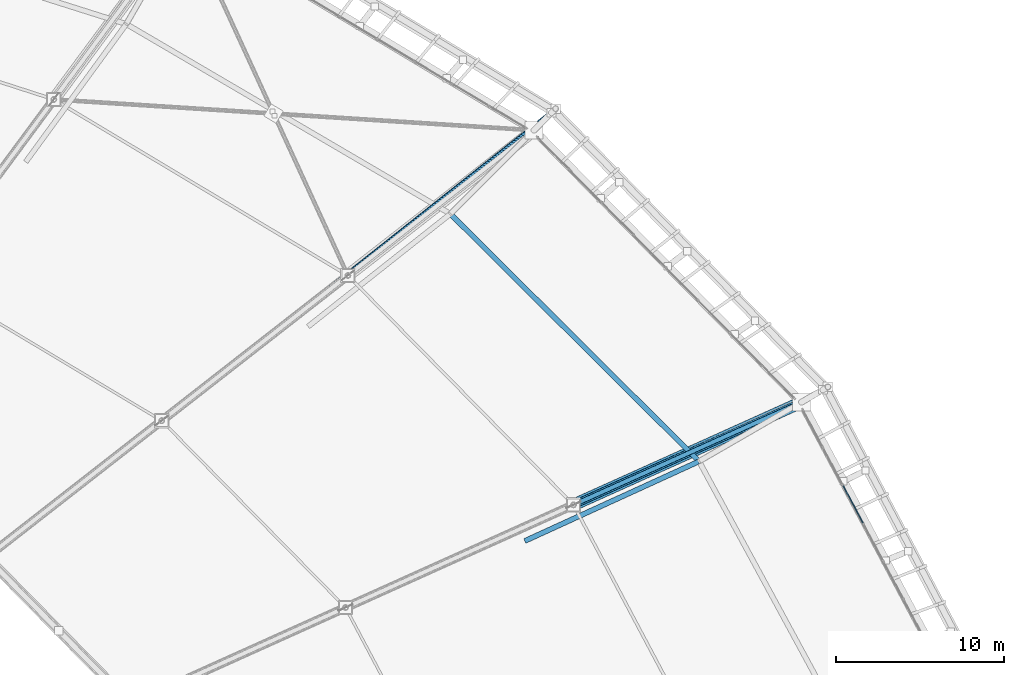
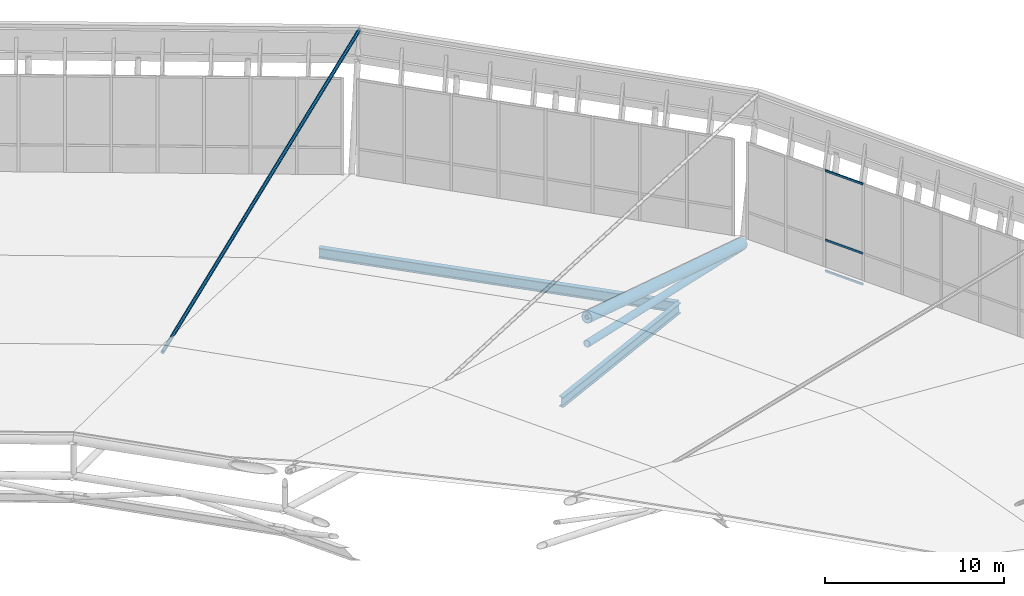
# One storey, part 57 of 115: 7 members, 2 beams, 1 element without a shape of its own.
"""IFC4 building model written with IfcOpenShell, lengths in metres."""

from ifc_helpers import new_model, si_unit, direction, frame, origin, origin_2d, place, context, subcontext, project, spatial, rectangle, hollow_circle, i_section, extrude, material, material_profile, profile_set, type_object, element, aggregate, save


model = new_model("IFC4")

# Units and contexts
model_context = context("Model", 3, precision=1e-05, world=origin(), true_north=direction((0.0, 1.0)))
body_context = subcontext(model_context, "Body", "Model", "MODEL_VIEW")
ifc_project = project(units=[si_unit("LENGTHUNIT", "METRE"), si_unit("AREAUNIT", "SQUARE_METRE"), si_unit("VOLUMEUNIT", "CUBIC_METRE"), si_unit("PLANEANGLEUNIT", "RADIAN"), si_unit("MASSUNIT", "GRAM", prefix="KILO")], contexts=[model_context])

# Site, building, storey
site_placement = place(None, origin())
site = spatial("IfcSite", under=ifc_project, at=site_placement, CompositionType="ELEMENT")
building_placement = place(site_placement, origin())
building = spatial("IfcBuilding", under=site, at=building_placement, Name="Zlatoyarsky Gate Stadium", CompositionType="ELEMENT")
storey_placement = place(building_placement, frame((0.0, 0.0, 31.800048828125)))
storey = spatial("IfcBuildingStorey", under=building, at=storey_placement, Name="RF", CompositionType="ELEMENT", Elevation=31.800048828125)

# Curtain wall, members
ifc_material_1 = material(Name="Thermally broken anodised aluminium curtain wall", Category="aluminium")
curtain_wall_type = type_object("IfcCurtainWallType", Name="UNITISED SKYBOX RING GLAZING L05", PredefinedType="USERDEFINED", material=ifc_material_1)
curtain_wall_placement = place(storey_placement, origin())
curtain_wall = element("IfcCurtainWall", 1, at=curtain_wall_placement, inside=storey, type_object=curtain_wall_type, Name="Curtain wall CW-RF-01", ObjectType="UNITISED GLAZING", PredefinedType="USERDEFINED")
ifc_material_2 = material(Name="Anodised aluminium 6063-T6", Category="aluminium")
ifc_material_profile_1 = material_profile(ifc_material_2, rectangle(XDim=0.06494140625, YDim=0.139892578125, at=origin_2d()), Name="ALU 65X140")
ifc_profile_set_1 = profile_set([ifc_material_profile_1], Name="Anodised aluminium 6063-T6")
member_type_1 = type_object("IfcMemberType", Name="ALUMINIUM TRANSOM 65X140", PredefinedType="USERDEFINED", material=ifc_profile_set_1)
member_1_placement = place(storey_placement, frame((201.27880859375, 111.83984375, 0.032470703125), z_axis=(-0.469124208683, 0.883132196688, 0.0), x_axis=(-0.883132196688, -0.469124208683, 0.0)))
member_1 = element("IfcMember", 2, at=member_1_placement, type_object=member_type_1, Name="CW-UG5 transom 6.1", ObjectType="TRANSOM", PredefinedType="USERDEFINED", context=body_context, shape_type="SweptSolid", body=[
    extrude(rectangle(XDim=0.06494140625, YDim=0.139892578125, at=origin_2d()), origin(), (0.0, 0.0, 1.0), 2.493896484375),
])
member_2_placement = place(storey_placement, frame((201.27880859375, 111.83984375, 2.14990234375), z_axis=(-0.469124208683, 0.883132196688, 0.0), x_axis=(-0.883132196688, -0.469124208683, 0.0)))
member_2 = element("IfcMember", 3, at=member_2_placement, type_object=member_type_1, Name="CW-UG5 transom 6.2", ObjectType="TRANSOM", PredefinedType="USERDEFINED", context=body_context, shape_type="SweptSolid", body=[
    extrude(rectangle(XDim=0.06494140625, YDim=0.139892578125, at=origin_2d()), origin(), (0.0, 0.0, 1.0), 2.493896484375),
])
member_3_placement = place(storey_placement, frame((201.27880859375, 111.83984375, 6.867431640625), z_axis=(-0.469124208683, 0.883132196688, 0.0), x_axis=(-0.883132196688, -0.469124208683, 0.0)))
member_3 = element("IfcMember", 4, at=member_3_placement, type_object=member_type_1, Name="CW-UG5 transom 6.3", ObjectType="TRANSOM", PredefinedType="USERDEFINED", context=body_context, shape_type="SweptSolid", body=[
    extrude(rectangle(XDim=0.06494140625, YDim=0.139892578125, at=origin_2d()), origin(), (0.0, 0.0, 1.0), 2.493896484375),
])
aggregate(curtain_wall, [member_1, member_2, member_3])

# Members
ifc_material_3 = material(Name="Steel S355", Category="steel")
ifc_material_profile_2 = material_profile(ifc_material_3, hollow_circle(Radius=0.228515625, WallThickness=0.02490234375, at=origin_2d()), Name="CHS 457X25")
ifc_profile_set_2 = profile_set([ifc_material_profile_2], Name="Steel S355")
member_type_2 = type_object("IfcMemberType", Name="STEEL ARCH BOTTOM CHORD CHS 457X25", PredefinedType="CHORD", material=ifc_profile_set_2)
member_4_placement = place(storey_placement, frame((197.62646484375, 119.013916015625, -0.449951171875), z_axis=(-0.905178236441, -0.407667849919, 0.120246764678), x_axis=(0.410647494478, -0.911794184714, 0.0)))
element("IfcMember", 5, at=member_4_placement, inside=storey, type_object=member_type_2, Name="Radial truss R03 bottom chord 1", PredefinedType="CHORD", context=body_context, shape_type="SweptSolid", body=[
    extrude(hollow_circle(Radius=0.228515625, WallThickness=0.02490234375, at=origin_2d()), origin(), (0.0, 0.0, 1.0), 14.967529296875),
])
ifc_material_profile_3 = material_profile(ifc_material_3, hollow_circle(Radius=0.35546875, WallThickness=0.031982421875, at=origin_2d()), Name="CHS 711X32")
ifc_profile_set_3 = profile_set([ifc_material_profile_3], Name="Steel S355")
member_type_3 = type_object("IfcMemberType", Name="STEEL ARCH TOP CHORD CHS 711X32", PredefinedType="CHORD", material=ifc_profile_set_3)
member_5_placement = place(storey_placement, frame((197.62646484375, 119.013916015625, -0.25), z_axis=(-0.888824010975, -0.400302348115, 0.223046873118), x_axis=(0.410647494478, -0.911794184714, 0.0)))
element("IfcMember", 6, at=member_5_placement, inside=storey, type_object=member_type_3, Name="Radial truss R03 top chord 1", PredefinedType="CHORD", context=body_context, shape_type="SweptSolid", body=[
    extrude(hollow_circle(Radius=0.35546875, WallThickness=0.031982421875, at=origin_2d()), origin(), (0.0, 0.0, 1.0), 15.242919921875),
])
ifc_material_profile_4 = material_profile(ifc_material_3, hollow_circle(Radius=0.109619140625, WallThickness=0.012451171875, at=origin_2d()), Name="CHS 219.1X12.5")
ifc_profile_set_4 = profile_set([ifc_material_profile_4], Name="Steel S355")
member_type_4 = type_object("IfcMemberType", Name="STEEL CANOPY WIND BRACE CHS 219.1X12.5", PredefinedType="BRACE", material=ifc_profile_set_4)
member_6_placement = place(storey_placement, frame((183.0146484375, 136.45849609375, 8.849853515625), z_axis=(-0.781026517162, -0.618676157728, -0.08507285906), x_axis=(0.620927184532, -0.783868248821, 0.0)))
element("IfcMember", 7, at=member_6_placement, inside=storey, type_object=member_type_4, Name="Crown fascia tie brace 03", PredefinedType="BRACE", context=body_context, shape_type="SweptSolid", body=[
    extrude(hollow_circle(Radius=0.109619140625, WallThickness=0.012451171875, at=origin_2d()), origin(), (0.0, 0.0, 1.0), 29.971923828125),
])

# Beams
ifc_material_profile_5 = material_profile(ifc_material_3, i_section(OverallWidth=0.300048828125, OverallDepth=0.699951171875, WebThickness=0.01708984375, FlangeThickness=0.031982421875, FilletRadius=0.027099609375, at=origin_2d()), Name="HEB 700")
ifc_profile_set_5 = profile_set([ifc_material_profile_5], Name="Steel S355")
beam_type = type_object("IfcBeamType", Name="STEEL ROOF RING GIRDER HEB 700", PredefinedType="BEAM", material=ifc_profile_set_5)
beam_1_placement = place(storey_placement, frame((181.1845703125, 110.7666015625, -0.300048828125), z_axis=(0.909494931213, 0.415715010671, 0.0), x_axis=(-0.415715010671, 0.909494931213, 0.0)))
element("IfcBeam", 8, at=beam_1_placement, inside=storey, type_object=beam_type, Name="RF roof tie girder BM-RF-RBC-02", PredefinedType="BEAM", context=body_context, shape_type="SweptSolid", body=[
    extrude(i_section(OverallWidth=0.300048828125, OverallDepth=0.699951171875, WebThickness=0.01708984375, FlangeThickness=0.031982421875, FilletRadius=0.027099609375, at=origin_2d()), origin(), (0.0, 0.0, 1.0), 11.34619140625),
])
beam_2_placement = place(storey_placement, frame((191.511962890625, 115.5283203125, -0.300048828125), z_axis=(-0.708897206107, 0.70531181131, 0.0), x_axis=(-0.70531181131, -0.708897206107, 0.0)))
element("IfcBeam", 9, at=beam_2_placement, inside=storey, type_object=beam_type, Name="RF roof tie girder BM-RF-CRC-02", PredefinedType="BEAM", context=body_context, shape_type="SweptSolid", body=[
    extrude(i_section(OverallWidth=0.300048828125, OverallDepth=0.699951171875, WebThickness=0.01708984375, FlangeThickness=0.031982421875, FilletRadius=0.027099609375, at=origin_2d()), origin(), (0.0, 0.0, 1.0), 20.768310546875),
])

# Member
ifc_material_profile_6 = material_profile(ifc_material_3, hollow_circle(Radius=0.136474609375, WallThickness=0.01611328125, at=origin_2d()), Name="CHS 273X16")
ifc_profile_set_6 = profile_set([ifc_material_profile_6], Name="Steel S355")
member_type_5 = type_object("IfcMemberType", Name="STEEL ROOF TRUSS DIAGONAL CHS 273X16", PredefinedType="BRACE", material=ifc_profile_set_6)
member_7_placement = place(storey_placement, frame((197.62646484375, 119.013916015625, -0.449951171875), z_axis=(-0.886159022345, -0.399102109156, 0.235456351758), x_axis=(0.410647494478, -0.911794184714, 0.0)))
element("IfcMember", 10, at=member_7_placement, inside=storey, type_object=member_type_5, Name="Radial truss R03 web diagonal 1", PredefinedType="BRACE", context=body_context, shape_type="SweptSolid", body=[
    extrude(hollow_circle(Radius=0.136474609375, WallThickness=0.01611328125, at=origin_2d()), origin(), (0.0, 0.0, 1.0), 15.288818359375),
])

save(model, "model.ifc")
